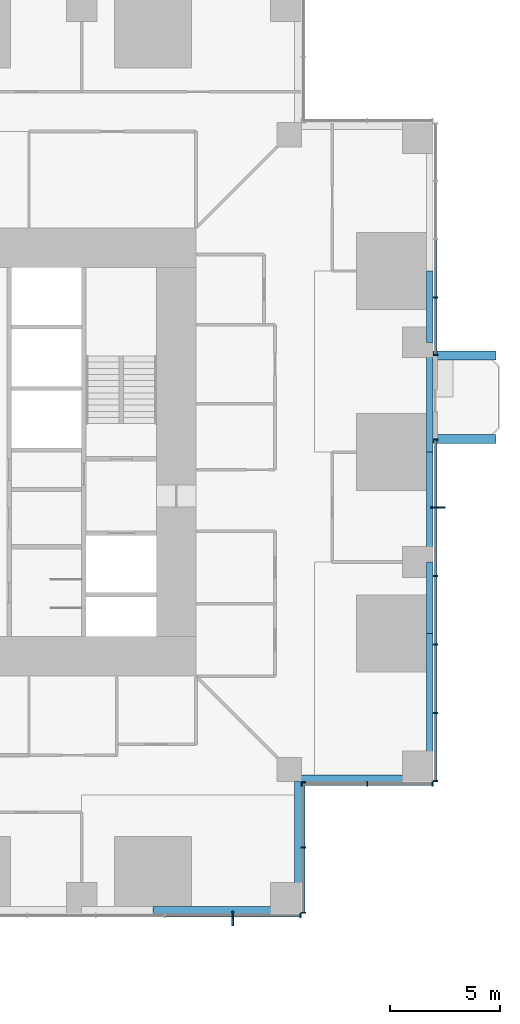
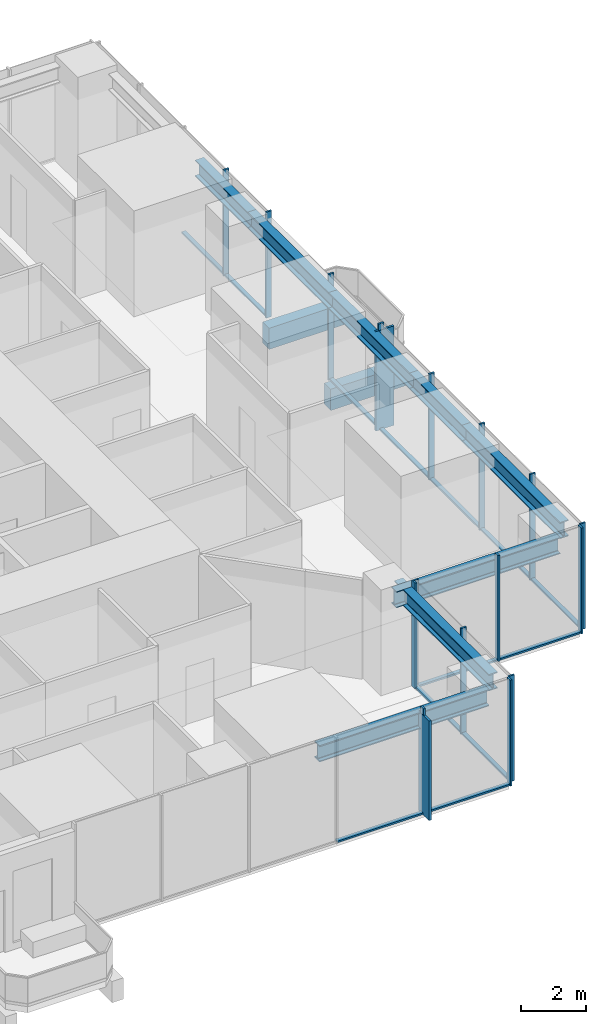
# One storey, part 4 of 18: 31 members, 10 beams, 5 elements without a shape of their own.
"""IFC4 building model written with IfcOpenShell, lengths in metres."""

from ifc_helpers import new_model, si_unit, direction, frame, origin, origin_2d, place, context, subcontext, project, spatial, rectangle, i_section, extrude, material, material_profile, profile_set, type_object, element, aggregate, save


model = new_model("IFC4")

# Units and contexts
model_context = context("Model", 3, precision=1e-05, world=origin(), true_north=direction((0.0, 1.0)))
body_context = subcontext(model_context, "Body", "Model", "MODEL_VIEW")
ifc_project = project(units=[si_unit("LENGTHUNIT", "METRE"), si_unit("AREAUNIT", "SQUARE_METRE"), si_unit("VOLUMEUNIT", "CUBIC_METRE"), si_unit("PLANEANGLEUNIT", "RADIAN"), si_unit("MASSUNIT", "GRAM", prefix="KILO")], contexts=[model_context])

# Site, building, storey
site_placement = place(None, origin())
site = spatial("IfcSite", under=ifc_project, at=site_placement, CompositionType="ELEMENT")
building_placement = place(site_placement, origin())
building = spatial("IfcBuilding", under=site, at=building_placement, Name="Svetlomir Tower", CompositionType="ELEMENT")
storey_placement = place(building_placement, frame((0.0, 0.0, 54.5)))
storey = spatial("IfcBuildingStorey", under=building, at=storey_placement, Name="L12", CompositionType="ELEMENT", Elevation=54.5)

# Beams
ifc_material_1 = material(Name="Concrete C60/75", Category="concrete")
ifc_material_profile_1 = material_profile(ifc_material_1, rectangle(XDim=0.39990234375, YDim=0.800048828125, at=origin_2d()), Name="RC 400x800")
ifc_profile_set_1 = profile_set([ifc_material_profile_1], Name="Concrete C60/75")
beam_type_1 = type_object("IfcBeamType", Name="BALCONY RIB RC 400x800", PredefinedType="BEAM", material=ifc_profile_set_1)
for number, where, z_axis, x_axis, name in (
    (1, (42.0, 21.60009765625, -0.64990234375), (1.0, 0.0, 0.0), (0.0, 1.0, 0.0), "Balcony rib E 1 L12"),
    (2, (42.0, 25.39990234375, -0.64990234375), (1.0, 0.0, 0.0), (0.0, 1.0, 0.0), "Balcony rib E 2 L12"),
):
    element("IfcBeam", number, at=place(storey_placement, frame(where, z_axis=z_axis, x_axis=x_axis)), inside=storey, type_object=beam_type_1, Name=name, PredefinedType="BEAM", context=body_context, shape_type="SweptSolid", body=[
        extrude(rectangle(XDim=0.39990234375, YDim=0.800048828125, at=origin_2d()), origin(), (0.0, 0.0, 1.0), 2.85009765625),
    ])

# Curtain wall, member
ifc_material_2 = material(Name="Bronze anodised aluminium curtain wall", Category="aluminium")
curtain_wall_type = type_object("IfcCurtainWallType", Name="CURTAIN WALL CW1 TOWER OFFICE", PredefinedType="NOTDEFINED", material=ifc_material_2)
curtain_wall_1_placement = place(storey_placement, origin())
curtain_wall_1 = element("IfcCurtainWall", 3, at=curtain_wall_1_placement, inside=storey, type_object=curtain_wall_type, Name="Curtain wall CW1 L12", PredefinedType="NOTDEFINED")
ifc_material_3 = material(Name="Bronze anodised aluminium", Category="aluminium")
ifc_material_profile_2 = material_profile(ifc_material_3, rectangle(XDim=0.080078125, YDim=0.64990234375, at=origin_2d()), Name="FIN 80x650")
ifc_profile_set_2 = profile_set([ifc_material_profile_2], Name="Bronze anodised aluminium 6063-T6")
member_type_1 = type_object("IfcMemberType", Name="BRONZE FIN 80x650", PredefinedType="USERDEFINED", material=ifc_profile_set_2)
member_1_placement = place(storey_placement, frame((32.8798828125, -0.22509765625, 0.0), z_axis=(0.0, 0.0, 1.0), x_axis=(1.0, 0.0, 0.0)))
member_1 = element("IfcMember", 4, at=member_1_placement, type_object=member_type_1, Name="Bronze fin L12", ObjectType="FIN", PredefinedType="USERDEFINED", context=body_context, shape_type="SweptSolid", body=[
    extrude(rectangle(XDim=0.080078125, YDim=0.64990234375, at=origin_2d()), origin(), (0.0, 0.0, 1.0), 3.75),
])

curtain_wall_2_placement = place(storey_placement, origin())
curtain_wall_2 = element("IfcCurtainWall", 5, at=curtain_wall_2_placement, inside=storey, type_object=curtain_wall_type, Name="Curtain wall CW1 L12", PredefinedType="NOTDEFINED")
member_2_placement = place(storey_placement, frame((42.22509765625, 18.47998046875, 0.0), z_axis=(0.0, 0.0, 1.0), x_axis=(0.0, 1.0, 0.0)))
member_2 = element("IfcMember", 6, at=member_2_placement, type_object=member_type_1, Name="Bronze fin L12", ObjectType="FIN", PredefinedType="USERDEFINED", context=body_context, shape_type="SweptSolid", body=[
    extrude(rectangle(XDim=0.080078125, YDim=0.64990234375, at=origin_2d()), origin(), (0.0, 0.0, 1.0), 3.75),
])

# Member
ifc_material_4 = material(Name="Bronze anodised aluminium", Category="aluminium")
ifc_material_profile_3 = material_profile(ifc_material_4, rectangle(XDim=0.06494140625, YDim=0.199951171875, at=origin_2d()), Name="AL 65x200")
ifc_profile_set_3 = profile_set([ifc_material_profile_3], Name="Bronze anodised aluminium 6063-T6")
member_type_2 = type_object("IfcMemberType", Name="CW1 MULLION 65x200", PredefinedType="MULLION", material=ifc_profile_set_3)
member_3_placement = place(storey_placement, frame((32.8798828125, -0.10009765625, 0.0), z_axis=(0.0, 0.0, 1.0), x_axis=(1.0, 0.0, 0.0)))
member_3 = element("IfcMember", 7, at=member_3_placement, type_object=member_type_2, Name="CW1 mullion 5", PredefinedType="MULLION", context=body_context, shape_type="SweptSolid", body=[
    extrude(rectangle(XDim=0.06494140625, YDim=0.199951171875, at=origin_2d()), origin(), (0.0, 0.0, 1.0), 4.0),
])

member_4_placement = place(storey_placement, frame((35.967529296875, -0.10009765625, 0.0), z_axis=(0.0, 0.0, 1.0), x_axis=(1.0, 0.0, 0.0)))
member_4 = element("IfcMember", 8, at=member_4_placement, type_object=member_type_2, Name="CW1 mullion 6", PredefinedType="MULLION", context=body_context, shape_type="SweptSolid", body=[
    extrude(rectangle(XDim=0.06494140625, YDim=0.199951171875, at=origin_2d()), origin(), (0.0, 0.0, 1.0), 4.0),
])

# Curtain wall, members
curtain_wall_3_placement = place(storey_placement, origin())
curtain_wall_3 = element("IfcCurtainWall", 9, at=curtain_wall_3_placement, inside=storey, type_object=curtain_wall_type, Name="Curtain wall CW1 L12", PredefinedType="NOTDEFINED")
member_5_placement = place(storey_placement, frame((36.10009765625, 0.032470703125, 0.0), z_axis=(0.0, 0.0, 1.0), x_axis=(0.0, 1.0, 0.0)))
member_5 = element("IfcMember", 10, at=member_5_placement, type_object=member_type_2, Name="CW1 mullion 1", PredefinedType="MULLION", context=body_context, shape_type="SweptSolid", body=[
    extrude(rectangle(XDim=0.06494140625, YDim=0.199951171875, at=origin_2d()), origin(), (0.0, 0.0, 1.0), 4.0),
])
member_6_placement = place(storey_placement, frame((36.10009765625, 3.0, 0.0), z_axis=(0.0, 0.0, 1.0), x_axis=(0.0, 1.0, 0.0)))
member_6 = element("IfcMember", 11, at=member_6_placement, type_object=member_type_2, Name="CW1 mullion 2", PredefinedType="MULLION", context=body_context, shape_type="SweptSolid", body=[
    extrude(rectangle(XDim=0.06494140625, YDim=0.199951171875, at=origin_2d()), origin(), (0.0, 0.0, 1.0), 4.0),
])
member_7_placement = place(storey_placement, frame((36.10009765625, 5.967529296875, 0.0), z_axis=(0.0, 0.0, 1.0), x_axis=(0.0, 1.0, 0.0)))
member_7 = element("IfcMember", 12, at=member_7_placement, type_object=member_type_2, Name="CW1 mullion 3", PredefinedType="MULLION", context=body_context, shape_type="SweptSolid", body=[
    extrude(rectangle(XDim=0.06494140625, YDim=0.199951171875, at=origin_2d()), origin(), (0.0, 0.0, 1.0), 4.0),
])

curtain_wall_4_placement = place(storey_placement, origin())
curtain_wall_4 = element("IfcCurtainWall", 13, at=curtain_wall_4_placement, inside=storey, type_object=curtain_wall_type, Name="Curtain wall CW1 L12", PredefinedType="NOTDEFINED")
member_8_placement = place(storey_placement, frame((36.032470703125, 5.89990234375, 0.0), z_axis=(0.0, 0.0, 1.0), x_axis=(1.0, 0.0, 0.0)))
member_8 = element("IfcMember", 14, at=member_8_placement, type_object=member_type_2, Name="CW1 mullion 1", PredefinedType="MULLION", context=body_context, shape_type="SweptSolid", body=[
    extrude(rectangle(XDim=0.06494140625, YDim=0.199951171875, at=origin_2d()), origin(), (0.0, 0.0, 1.0), 4.0),
])
member_9_placement = place(storey_placement, frame((39.0, 5.89990234375, 0.0), z_axis=(0.0, 0.0, 1.0), x_axis=(1.0, 0.0, 0.0)))
member_9 = element("IfcMember", 15, at=member_9_placement, type_object=member_type_2, Name="CW1 mullion 2", PredefinedType="MULLION", context=body_context, shape_type="SweptSolid", body=[
    extrude(rectangle(XDim=0.06494140625, YDim=0.199951171875, at=origin_2d()), origin(), (0.0, 0.0, 1.0), 4.0),
])
member_10_placement = place(storey_placement, frame((41.967529296875, 5.89990234375, 0.0), z_axis=(0.0, 0.0, 1.0), x_axis=(1.0, 0.0, 0.0)))
member_10 = element("IfcMember", 16, at=member_10_placement, type_object=member_type_2, Name="CW1 mullion 3", PredefinedType="MULLION", context=body_context, shape_type="SweptSolid", body=[
    extrude(rectangle(XDim=0.06494140625, YDim=0.199951171875, at=origin_2d()), origin(), (0.0, 0.0, 1.0), 4.0),
])

# Member
member_11_placement = place(storey_placement, frame((42.10009765625, 6.032470703125, 0.0), z_axis=(0.0, 0.0, 1.0), x_axis=(0.0, 1.0, 0.0)))
member_11 = element("IfcMember", 17, at=member_11_placement, type_object=member_type_2, Name="CW1 mullion 1", PredefinedType="MULLION", context=body_context, shape_type="SweptSolid", body=[
    extrude(rectangle(XDim=0.06494140625, YDim=0.199951171875, at=origin_2d()), origin(), (0.0, 0.0, 1.0), 4.0),
])

member_12_placement = place(storey_placement, frame((42.10009765625, 9.1201171875, 0.0), z_axis=(0.0, 0.0, 1.0), x_axis=(0.0, 1.0, 0.0)))
member_12 = element("IfcMember", 18, at=member_12_placement, type_object=member_type_2, Name="CW1 mullion 2", PredefinedType="MULLION", context=body_context, shape_type="SweptSolid", body=[
    extrude(rectangle(XDim=0.06494140625, YDim=0.199951171875, at=origin_2d()), origin(), (0.0, 0.0, 1.0), 4.0),
])

member_13_placement = place(storey_placement, frame((42.10009765625, 12.239990234375, 0.0), z_axis=(0.0, 0.0, 1.0), x_axis=(0.0, 1.0, 0.0)))
member_13 = element("IfcMember", 19, at=member_13_placement, type_object=member_type_2, Name="CW1 mullion 3", PredefinedType="MULLION", context=body_context, shape_type="SweptSolid", body=[
    extrude(rectangle(XDim=0.06494140625, YDim=0.199951171875, at=origin_2d()), origin(), (0.0, 0.0, 1.0), 4.0),
])

member_14_placement = place(storey_placement, frame((42.10009765625, 15.360107421875, 0.0), z_axis=(0.0, 0.0, 1.0), x_axis=(0.0, 1.0, 0.0)))
member_14 = element("IfcMember", 20, at=member_14_placement, type_object=member_type_2, Name="CW1 mullion 4", PredefinedType="MULLION", context=body_context, shape_type="SweptSolid", body=[
    extrude(rectangle(XDim=0.06494140625, YDim=0.199951171875, at=origin_2d()), origin(), (0.0, 0.0, 1.0), 4.0),
])

member_15_placement = place(storey_placement, frame((42.10009765625, 18.47998046875, 0.0), z_axis=(0.0, 0.0, 1.0), x_axis=(0.0, 1.0, 0.0)))
member_15 = element("IfcMember", 21, at=member_15_placement, type_object=member_type_2, Name="CW1 mullion 5", PredefinedType="MULLION", context=body_context, shape_type="SweptSolid", body=[
    extrude(rectangle(XDim=0.06494140625, YDim=0.199951171875, at=origin_2d()), origin(), (0.0, 0.0, 1.0), 4.0),
])

member_16_placement = place(storey_placement, frame((42.10009765625, 21.5673828125, 0.0), z_axis=(0.0, 0.0, 1.0), x_axis=(0.0, 1.0, 0.0)))
member_16 = element("IfcMember", 22, at=member_16_placement, type_object=member_type_2, Name="CW1 mullion 6", PredefinedType="MULLION", context=body_context, shape_type="SweptSolid", body=[
    extrude(rectangle(XDim=0.06494140625, YDim=0.199951171875, at=origin_2d()), origin(), (0.0, 0.0, 1.0), 4.0),
])

# Curtain wall, members
curtain_wall_5_placement = place(storey_placement, origin())
curtain_wall_5 = element("IfcCurtainWall", 23, at=curtain_wall_5_placement, inside=storey, type_object=curtain_wall_type, Name="Curtain wall CW1 L12", PredefinedType="NOTDEFINED")
member_17_placement = place(storey_placement, frame((42.10009765625, 25.4326171875, 0.0), z_axis=(0.0, 0.0, 1.0), x_axis=(0.0, 1.0, 0.0)))
member_17 = element("IfcMember", 24, at=member_17_placement, type_object=member_type_2, Name="CW1 mullion 1", PredefinedType="MULLION", context=body_context, shape_type="SweptSolid", body=[
    extrude(rectangle(XDim=0.06494140625, YDim=0.199951171875, at=origin_2d()), origin(), (0.0, 0.0, 1.0), 4.0),
])
member_18_placement = place(storey_placement, frame((42.10009765625, 28.050048828125, 0.0), z_axis=(0.0, 0.0, 1.0), x_axis=(0.0, 1.0, 0.0)))
member_18 = element("IfcMember", 25, at=member_18_placement, type_object=member_type_2, Name="CW1 mullion 2", PredefinedType="MULLION", context=body_context, shape_type="SweptSolid", body=[
    extrude(rectangle(XDim=0.06494140625, YDim=0.199951171875, at=origin_2d()), origin(), (0.0, 0.0, 1.0), 4.0),
])

# Member
ifc_material_5 = material(Name="Bronze anodised aluminium", Category="aluminium")
ifc_material_profile_4 = material_profile(ifc_material_5, rectangle(XDim=0.139892578125, YDim=0.06494140625, at=origin_2d()), Name="AL 140x65")
ifc_profile_set_4 = profile_set([ifc_material_profile_4], Name="Bronze anodised aluminium 6063-T6")
member_type_3 = type_object("IfcMemberType", Name="CW1 TRANSOM 65x140", PredefinedType="USERDEFINED", material=ifc_profile_set_4)
member_19_placement = place(storey_placement, frame((29.79248046875, -0.10009765625, 0.032470703125), z_axis=(1.0, 0.0, 0.0), x_axis=(0.0, 1.0, 0.0)))
member_19 = element("IfcMember", 26, at=member_19_placement, type_object=member_type_3, Name="CW1 transom 4.1", ObjectType="TRANSOM", PredefinedType="USERDEFINED", context=body_context, shape_type="SweptSolid", body=[
    extrude(rectangle(XDim=0.139892578125, YDim=0.06494140625, at=origin_2d()), origin(), (0.0, 0.0, 1.0), 3.054931640625),
])

member_20_placement = place(storey_placement, frame((32.91259765625, -0.10009765625, 0.032470703125), z_axis=(1.0, 0.0, 0.0), x_axis=(0.0, 1.0, 0.0)))
member_20 = element("IfcMember", 27, at=member_20_placement, type_object=member_type_3, Name="CW1 transom 5.1", ObjectType="TRANSOM", PredefinedType="USERDEFINED", context=body_context, shape_type="SweptSolid", body=[
    extrude(rectangle(XDim=0.139892578125, YDim=0.06494140625, at=origin_2d()), origin(), (0.0, 0.0, 1.0), 3.0224609375),
])

aggregate(curtain_wall_1, [member_3, member_4, member_19, member_20, member_1])

member_21_placement = place(storey_placement, frame((36.10009765625, 0.06494140625, 0.032470703125), z_axis=(0.0, 1.0, 0.0), x_axis=(-1.0, 0.0, 0.0)))
member_21 = element("IfcMember", 28, at=member_21_placement, type_object=member_type_3, Name="CW1 transom 1.1", ObjectType="TRANSOM", PredefinedType="USERDEFINED", context=body_context, shape_type="SweptSolid", body=[
    extrude(rectangle(XDim=0.139892578125, YDim=0.06494140625, at=origin_2d()), origin(), (0.0, 0.0, 1.0), 2.902587890625),
])

member_22_placement = place(storey_placement, frame((36.10009765625, 3.032470703125, 0.032470703125), z_axis=(0.0, 1.0, 0.0), x_axis=(-1.0, 0.0, 0.0)))
member_22 = element("IfcMember", 29, at=member_22_placement, type_object=member_type_3, Name="CW1 transom 2.1", ObjectType="TRANSOM", PredefinedType="USERDEFINED", context=body_context, shape_type="SweptSolid", body=[
    extrude(rectangle(XDim=0.139892578125, YDim=0.06494140625, at=origin_2d()), origin(), (0.0, 0.0, 1.0), 2.902587890625),
])

aggregate(curtain_wall_3, [member_5, member_6, member_7, member_21, member_22])

member_23_placement = place(storey_placement, frame((36.06494140625, 5.89990234375, 0.032470703125), z_axis=(1.0, 0.0, 0.0), x_axis=(0.0, 1.0, 0.0)))
member_23 = element("IfcMember", 30, at=member_23_placement, type_object=member_type_3, Name="CW1 transom 1.1", ObjectType="TRANSOM", PredefinedType="USERDEFINED", context=body_context, shape_type="SweptSolid", body=[
    extrude(rectangle(XDim=0.139892578125, YDim=0.06494140625, at=origin_2d()), origin(), (0.0, 0.0, 1.0), 2.902587890625),
])

member_24_placement = place(storey_placement, frame((39.032470703125, 5.89990234375, 0.032470703125), z_axis=(1.0, 0.0, 0.0), x_axis=(0.0, 1.0, 0.0)))
member_24 = element("IfcMember", 31, at=member_24_placement, type_object=member_type_3, Name="CW1 transom 2.1", ObjectType="TRANSOM", PredefinedType="USERDEFINED", context=body_context, shape_type="SweptSolid", body=[
    extrude(rectangle(XDim=0.139892578125, YDim=0.06494140625, at=origin_2d()), origin(), (0.0, 0.0, 1.0), 2.902587890625),
])

aggregate(curtain_wall_4, [member_8, member_9, member_10, member_23, member_24])

member_25_placement = place(storey_placement, frame((42.10009765625, 6.06494140625, 0.032470703125), z_axis=(0.0, 1.0, 0.0), x_axis=(-1.0, 0.0, 0.0)))
member_25 = element("IfcMember", 32, at=member_25_placement, type_object=member_type_3, Name="CW1 transom 1.1", ObjectType="TRANSOM", PredefinedType="USERDEFINED", context=body_context, shape_type="SweptSolid", body=[
    extrude(rectangle(XDim=0.139892578125, YDim=0.06494140625, at=origin_2d()), origin(), (0.0, 0.0, 1.0), 3.0224609375),
])

member_26_placement = place(storey_placement, frame((42.10009765625, 9.152587890625, 0.032470703125), z_axis=(0.0, 1.0, 0.0), x_axis=(-1.0, 0.0, 0.0)))
member_26 = element("IfcMember", 33, at=member_26_placement, type_object=member_type_3, Name="CW1 transom 2.1", ObjectType="TRANSOM", PredefinedType="USERDEFINED", context=body_context, shape_type="SweptSolid", body=[
    extrude(rectangle(XDim=0.139892578125, YDim=0.06494140625, at=origin_2d()), origin(), (0.0, 0.0, 1.0), 3.054931640625),
])

member_27_placement = place(storey_placement, frame((42.10009765625, 12.2724609375, 0.032470703125), z_axis=(0.0, 1.0, 0.0), x_axis=(-1.0, 0.0, 0.0)))
member_27 = element("IfcMember", 34, at=member_27_placement, type_object=member_type_3, Name="CW1 transom 3.1", ObjectType="TRANSOM", PredefinedType="USERDEFINED", context=body_context, shape_type="SweptSolid", body=[
    extrude(rectangle(XDim=0.139892578125, YDim=0.06494140625, at=origin_2d()), origin(), (0.0, 0.0, 1.0), 3.054931640625),
])

member_28_placement = place(storey_placement, frame((42.10009765625, 15.392578125, 0.032470703125), z_axis=(0.0, 1.0, 0.0), x_axis=(-1.0, 0.0, 0.0)))
member_28 = element("IfcMember", 35, at=member_28_placement, type_object=member_type_3, Name="CW1 transom 4.1", ObjectType="TRANSOM", PredefinedType="USERDEFINED", context=body_context, shape_type="SweptSolid", body=[
    extrude(rectangle(XDim=0.139892578125, YDim=0.06494140625, at=origin_2d()), origin(), (0.0, 0.0, 1.0), 3.054931640625),
])

member_29_placement = place(storey_placement, frame((42.10009765625, 18.512451171875, 0.032470703125), z_axis=(0.0, 1.0, 0.0), x_axis=(-1.0, 0.0, 0.0)))
member_29 = element("IfcMember", 36, at=member_29_placement, type_object=member_type_3, Name="CW1 transom 5.1", ObjectType="TRANSOM", PredefinedType="USERDEFINED", context=body_context, shape_type="SweptSolid", body=[
    extrude(rectangle(XDim=0.139892578125, YDim=0.06494140625, at=origin_2d()), origin(), (0.0, 0.0, 1.0), 3.0224609375),
])

aggregate(curtain_wall_2, [member_11, member_12, member_13, member_14, member_15, member_16, member_25, member_26, member_27, member_28, member_29, member_2])

member_30_placement = place(storey_placement, frame((42.10009765625, 25.465087890625, 0.032470703125), z_axis=(0.0, 1.0, 0.0), x_axis=(-1.0, 0.0, 0.0)))
member_30 = element("IfcMember", 37, at=member_30_placement, type_object=member_type_3, Name="CW1 transom 1.1", ObjectType="TRANSOM", PredefinedType="USERDEFINED", context=body_context, shape_type="SweptSolid", body=[
    extrude(rectangle(XDim=0.139892578125, YDim=0.06494140625, at=origin_2d()), origin(), (0.0, 0.0, 1.0), 2.552490234375),
])

member_31_placement = place(storey_placement, frame((42.10009765625, 28.08251953125, 0.032470703125), z_axis=(0.0, 1.0, 0.0), x_axis=(-1.0, 0.0, 0.0)))
member_31 = element("IfcMember", 38, at=member_31_placement, type_object=member_type_3, Name="CW1 transom 2.1", ObjectType="TRANSOM", PredefinedType="USERDEFINED", context=body_context, shape_type="SweptSolid", body=[
    extrude(rectangle(XDim=0.139892578125, YDim=0.06494140625, at=origin_2d()), origin(), (0.0, 0.0, 1.0), 2.5849609375),
])

aggregate(curtain_wall_5, [member_17, member_18, member_30, member_31])

# Beams
ifc_material_6 = material(Name="Steel S355", Category="steel")
ifc_material_profile_5 = material_profile(ifc_material_6, i_section(OverallWidth=0.304931640625, OverallDepth=0.6201171875, WebThickness=0.02099609375, FlangeThickness=0.0400390625, FilletRadius=0.027099609375, at=origin_2d()), Name="HEM 600")
ifc_profile_set_5 = profile_set([ifc_material_profile_5], Name="Steel S355")
beam_type_2 = type_object("IfcBeamType", Name="EDGE BEAM HEM 600", PredefinedType="SPANDREL", material=ifc_profile_set_5)
beam_1_placement = place(storey_placement, frame((41.847412109375, 6.699951171875, 3.43994140625), z_axis=(0.0, 1.0, 0.0), x_axis=(-1.0, 0.0, 0.0)))
element("IfcBeam", 39, at=beam_1_placement, inside=storey, type_object=beam_type_2, Name="Edge beam 42/6 to 42/11 under L13", PredefinedType="SPANDREL", context=body_context, shape_type="SweptSolid", body=[
    extrude(i_section(OverallWidth=0.304931640625, OverallDepth=0.6201171875, WebThickness=0.02099609375, FlangeThickness=0.0400390625, FilletRadius=0.027099609375, at=origin_2d()), origin(), (0.0, 0.0, 1.0), 6.050048828125),
])
beam_2_placement = place(storey_placement, frame((41.847412109375, 12.75, 3.43994140625), z_axis=(0.0, 1.0, 0.0), x_axis=(-1.0, 0.0, 0.0)))
element("IfcBeam", 40, at=beam_2_placement, inside=storey, type_object=beam_type_2, Name="Edge beam 42/11 to 42/16 under L13", PredefinedType="SPANDREL", context=body_context, shape_type="SweptSolid", body=[
    extrude(i_section(OverallWidth=0.304931640625, OverallDepth=0.6201171875, WebThickness=0.02099609375, FlangeThickness=0.0400390625, FilletRadius=0.027099609375, at=origin_2d()), origin(), (0.0, 0.0, 1.0), 3.25),
])
for number, where, z_axis, x_axis, name in (
    (41, (41.847412109375, 16.0, 3.43994140625), (0.0, 1.0, 0.0), (-1.0, 0.0, 0.0), "Edge beam 42/16 to 42/21 under L13"),
    (42, (41.847412109375, 21.0, 3.43994140625), (0.0, 1.0, 0.0), (-1.0, 0.0, 0.0), "Edge beam 42/21 to 42/26 under L13"),
):
    element("IfcBeam", number, at=place(storey_placement, frame(where, z_axis=z_axis, x_axis=x_axis)), inside=storey, type_object=beam_type_2, Name=name, PredefinedType="SPANDREL", context=body_context, shape_type="SweptSolid", body=[
        extrude(i_section(OverallWidth=0.304931640625, OverallDepth=0.6201171875, WebThickness=0.02099609375, FlangeThickness=0.0400390625, FilletRadius=0.027099609375, at=origin_2d()), origin(), (0.0, 0.0, 1.0), 5.0),
    ])
beam_3_placement = place(storey_placement, frame((41.847412109375, 26.0, 3.43994140625), z_axis=(0.0, 1.0, 0.0), x_axis=(-1.0, 0.0, 0.0)))
element("IfcBeam", 43, at=beam_3_placement, inside=storey, type_object=beam_type_2, Name="Edge beam 42/26 to 42/31 under L13", PredefinedType="SPANDREL", context=body_context, shape_type="SweptSolid", body=[
    extrude(i_section(OverallWidth=0.304931640625, OverallDepth=0.6201171875, WebThickness=0.02099609375, FlangeThickness=0.0400390625, FilletRadius=0.027099609375, at=origin_2d()), origin(), (0.0, 0.0, 1.0), 3.25),
])
beam_4_placement = place(storey_placement, frame((29.25, 0.152587890625, 3.43994140625), z_axis=(1.0, 0.0, 0.0), x_axis=(0.0, 1.0, 0.0)))
element("IfcBeam", 44, at=beam_4_placement, inside=storey, type_object=beam_type_2, Name="Edge beam 31/0 to 36/0 under L13", PredefinedType="SPANDREL", context=body_context, shape_type="SweptSolid", body=[
    extrude(i_section(OverallWidth=0.304931640625, OverallDepth=0.6201171875, WebThickness=0.02099609375, FlangeThickness=0.0400390625, FilletRadius=0.027099609375, at=origin_2d()), origin(), (0.0, 0.0, 1.0), 6.050048828125),
])
for number, where, z_axis, x_axis, name in (
    (45, (35.847412109375, 0.699951171875, 3.43994140625), (0.0, 1.0, 0.0), (-1.0, 0.0, 0.0), "Edge beam 36/0 to 36/6 under L13"),
    (46, (41.300048828125, 6.152587890625, 3.43994140625), (-1.0, 0.0, 0.0), (0.0, -1.0, 0.0), "Edge beam 42/6 to 36/6 under L13"),
):
    element("IfcBeam", number, at=place(storey_placement, frame(where, z_axis=z_axis, x_axis=x_axis)), inside=storey, type_object=beam_type_2, Name=name, PredefinedType="SPANDREL", context=body_context, shape_type="SweptSolid", body=[
        extrude(i_section(OverallWidth=0.304931640625, OverallDepth=0.6201171875, WebThickness=0.02099609375, FlangeThickness=0.0400390625, FilletRadius=0.027099609375, at=origin_2d()), origin(), (0.0, 0.0, 1.0), 5.85009765625),
    ])

save(model, "model.ifc")
